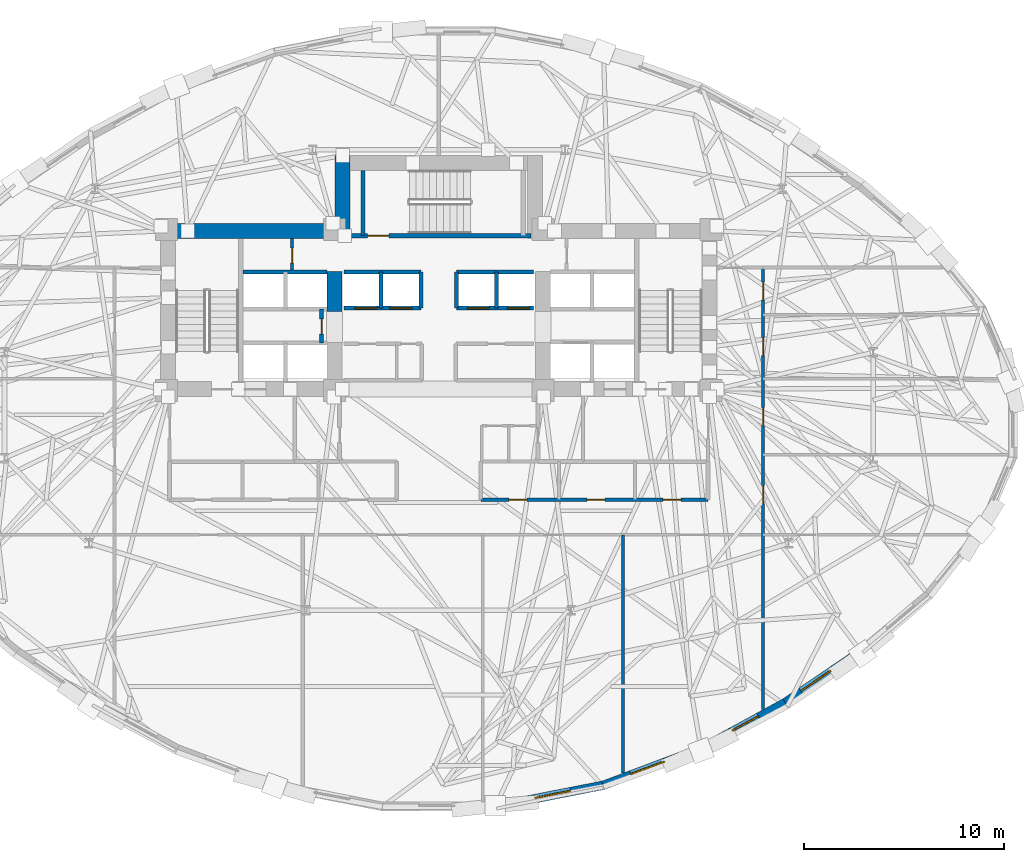
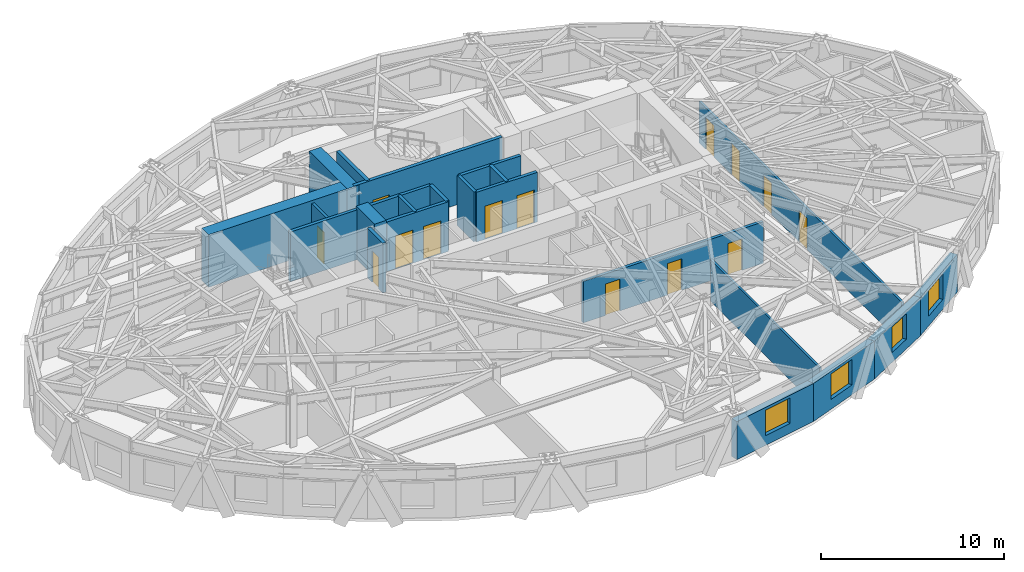
# One storey, part 8 of 14: 23 walls, 14 doors, 4 windows, 18 openings.
"""IFC4 building model written with IfcOpenShell, lengths in metres."""

import ifcopenshell
import ifcopenshell.guid

model = None  # the IFC model being written
_history = None  # IfcOwnerHistory: only IFC2X3 demands one
_inside = {}  # id of a spatial element -> (the spatial element, [elements in it])
_under = {}  # id of a project, library or spatial element -> (it, [spatial elements below it])
_declared = {}  # id of a project -> (the project, [libraries it declares])
_typed = {}  # id of a type object -> (the type object, [elements of that type])
_made_of = {}  # id of a material, layer set ... -> (it, [elements and type objects made of it])


def new_model(schema):
    """Start an empty IFC model of exactly this schema.

    Asked for "IFC4X3", IfcOpenShell would pick the latest addendum, in which some entities
    have other attributes; the version numbers below select the first issue.
    IFC2X3 requires an IfcOwnerHistory on every rooted entity: one is made here for all.
    """
    global model, _history
    if schema == "IFC4X3":
        model = ifcopenshell.file(schema_version=(4, 3, 0, 0))
    else:
        model = ifcopenshell.file(schema=schema)
    _inside.clear()
    _under.clear()
    _declared.clear()
    _typed.clear()
    _made_of.clear()
    _history = None
    if model.schema == "IFC2X3":
        org = make("IfcOrganization", Name="unknown")
        user = make(
            "IfcPersonAndOrganization",
            ThePerson=make("IfcPerson", FamilyName="unknown"),
            TheOrganization=org,
        )
        app = make(
            "IfcApplication",
            ApplicationDeveloper=org,
            Version="unknown",
            ApplicationFullName="unknown",
            ApplicationIdentifier="unknown",
        )
        _history = make(
            "IfcOwnerHistory",
            OwningUser=user,
            OwningApplication=app,
            ChangeAction="ADDED",
            CreationDate=0,
        )
    return model


def make(cls, **values):
    """One entity of the class cls with the attributes given. An attribute that is None is left unset."""
    return model.create_entity(
        cls, **{name: value for name, value in values.items() if value is not None}
    )


def rooted(cls, **values):
    """An entity with a GlobalId (a new one), such as an element, a storey or a relation."""
    return make(cls, GlobalId=ifcopenshell.guid.new(), OwnerHistory=_history, **values)


def si_unit(unit_type, name, prefix=None):
    """IfcSIUnit, for example si_unit("LENGTHUNIT", "METRE", prefix="MILLI")."""
    return make("IfcSIUnit", UnitType=unit_type, Prefix=prefix, Name=name)


def assignment(units):
    """IfcUnitAssignment: the units of a project."""
    return None if units is None else make("IfcUnitAssignment", Units=units)


def point(xyz):
    """IfcCartesianPoint."""
    return None if xyz is None else make("IfcCartesianPoint", Coordinates=xyz)


def direction(xyz):
    """IfcDirection."""
    return None if xyz is None else make("IfcDirection", DirectionRatios=xyz)


def frame(location, z_axis=None, x_axis=None):
    """IfcAxis2Placement3D, a coordinate frame: its origin and axes. An axis left out is left unset."""
    return make(
        "IfcAxis2Placement3D",
        Location=point(location),
        Axis=direction(z_axis),
        RefDirection=direction(x_axis),
    )


def frame_2d(location, x_axis=None):
    """IfcAxis2Placement2D, a coordinate frame in the plane: its origin and x axis."""
    return make(
        "IfcAxis2Placement2D", Location=point(location), RefDirection=direction(x_axis)
    )


def origin():
    """The frame at (0, 0, 0) with its axes left unset."""
    return frame((0.0, 0.0, 0.0))


def place(relative_to, where):
    """IfcLocalPlacement: puts the frame where relative to a parent placement (None: the world)."""
    return make(
        "IfcLocalPlacement", PlacementRelTo=relative_to, RelativePlacement=where
    )


def context(
    kind, dimensions, precision=None, world=None, true_north=None, identifier=None
):
    """IfcGeometricRepresentationContext, for example the 3D "Model" context."""
    return make(
        "IfcGeometricRepresentationContext",
        ContextIdentifier=identifier,
        ContextType=kind,
        CoordinateSpaceDimension=dimensions,
        Precision=precision,
        WorldCoordinateSystem=world,
        TrueNorth=true_north,
    )


def subcontext(parent, identifier, kind, view, scale=None):
    """IfcGeometricRepresentationSubContext, for example "Body" below "Model"."""
    return make(
        "IfcGeometricRepresentationSubContext",
        ContextIdentifier=identifier,
        ContextType=kind,
        ParentContext=parent,
        TargetScale=scale,
        TargetView=view,
    )


def project(units=None, contexts=None):
    """IfcProject with its units and contexts."""
    return rooted(
        "IfcProject",
        Name="project",
        RepresentationContexts=contexts,
        UnitsInContext=assignment(units),
    )


def spatial(cls, under=None, at=None, **own):
    """A site, building, storey or space (cls), placed at a placement, below another one or the project."""
    s = rooted(cls, ObjectPlacement=at, **own)
    if under is not None:
        _under.setdefault(under.id(), (under, []))[1].append(s)
    return s


def profile(cls, at=None, kind="AREA", **sizes):
    """A parametric profile (cls). Its sizes go by their IFC names, for example OverallWidth=200.0."""
    return make(cls, ProfileType=kind, Position=at, **sizes)


def rectangle(**sizes):
    """IfcRectangleProfileDef."""
    return profile("IfcRectangleProfileDef", **sizes)


def extrude(swept, where, along, depth):
    """IfcExtrudedAreaSolid: the profile swept, set in the frame where, extruded along a direction by depth."""
    return make(
        "IfcExtrudedAreaSolid",
        SweptArea=swept,
        Position=where,
        ExtrudedDirection=direction(along),
        Depth=depth,
    )


def shape(context_of_items, identifier, shape_type, items):
    """IfcShapeRepresentation: the items that make up one representation, for example the "Body"."""
    return make(
        "IfcShapeRepresentation",
        ContextOfItems=context_of_items,
        RepresentationIdentifier=identifier,
        RepresentationType=shape_type,
        Items=items,
    )


def material(Name=None, Category=None):
    """IfcMaterial."""
    return make("IfcMaterial", Name=Name, Category=Category)


def layer(
    of_material, thickness, ventilated=None, Name=None, Category=None, Priority=None
):
    """IfcMaterialLayer: one layer of a wall or slab, of a material (None: an air gap)."""
    return make(
        "IfcMaterialLayer",
        Material=of_material,
        LayerThickness=thickness,
        IsVentilated=ventilated,
        Name=Name,
        Category=Category,
        Priority=Priority,
    )


def layer_set(layers, Name=None):
    """IfcMaterialLayerSet."""
    return make("IfcMaterialLayerSet", MaterialLayers=layers, LayerSetName=Name)


def made_of(thing, what):
    """Note that an element or type object is made of a material, layer set ...; save() writes the relation."""
    if what is not None:
        _made_of.setdefault(what.id(), (what, []))[1].append(thing)
    return thing


def type_object(cls, material=None, **own):
    """A type object (cls), such as IfcWallType, which elements share."""
    return made_of(rooted(cls, **own), material)


def element(
    cls,
    number,
    at=None,
    inside=None,
    cuts=None,
    type_object=None,
    material=None,
    context=None,
    identifier="Body",
    shape_type=None,
    held_by="IfcProductDefinitionShape",
    body=None,
    shapes=None,
    **own,
):
    """One element of the class cls, such as IfcWall. Its Tag is "e" and its number.

    at: its placement. inside: the storey or other place that contains it. cuts: it is an
    opening in that element (IfcRelVoidsElement). A single representation is given by context,
    identifier, shape_type and body (its items); several are given by shapes. held_by: the class
    of the entity that holds the representations. save() writes the other relations.
    """
    e = rooted(cls, Tag="e%d" % number, ObjectPlacement=at, **own)
    if body is not None:
        shapes = [shape(context, identifier, shape_type, body)]
    if shapes is not None:
        e.Representation = make(held_by, Representations=shapes)
    if inside is not None:
        _inside.setdefault(inside.id(), (inside, []))[1].append(e)
    if cuts is not None:
        rooted(
            "IfcRelVoidsElement", RelatingBuildingElement=cuts, RelatedOpeningElement=e
        )
    if type_object is not None:
        _typed.setdefault(type_object.id(), (type_object, []))[1].append(e)
    return made_of(e, material)


def fill(opening, filler):
    """IfcRelFillsElement: the door or window that sits in an opening."""
    return rooted(
        "IfcRelFillsElement",
        RelatingOpeningElement=opening,
        RelatedBuildingElement=filler,
    )


def aggregate(whole, parts):
    """IfcRelAggregates: a whole, such as a stair, and the parts it consists of."""
    return rooted("IfcRelAggregates", RelatingObject=whole, RelatedObjects=parts)


def save(model, path):
    """Write the relations noted so far, then the file.

    IfcRelAggregates (storeys below a building ...), IfcRelContainedInSpatialStructure (elements
    in a storey), IfcRelDefinesByType, IfcRelAssociatesMaterial and IfcRelDeclares: one each for
    every whole, place, type object, material and project.
    """
    for whole, parts in _under.values():
        aggregate(whole, parts)
    for where, things in _inside.values():
        rooted(
            "IfcRelContainedInSpatialStructure",
            RelatedElements=things,
            RelatingStructure=where,
        )
    for kind, things in _typed.values():
        rooted("IfcRelDefinesByType", RelatedObjects=things, RelatingType=kind)
    for what, things in _made_of.values():
        rooted("IfcRelAssociatesMaterial", RelatedObjects=things, RelatingMaterial=what)
    for by, libraries in _declared.values():
        rooted("IfcRelDeclares", RelatingContext=by, RelatedDefinitions=libraries)
    model.write(path)


model = new_model("IFC4")

# Units and contexts
model_context = context("Model", 3, precision=1e-05, world=origin(), true_north=direction((0.0, 1.0)))
body_context = subcontext(model_context, "Body", "Model", "MODEL_VIEW")
ifc_project = project(units=[si_unit("LENGTHUNIT", "METRE"), si_unit("AREAUNIT", "SQUARE_METRE"), si_unit("VOLUMEUNIT", "CUBIC_METRE"), si_unit("PLANEANGLEUNIT", "RADIAN"), si_unit("MASSUNIT", "GRAM", prefix="KILO")], contexts=[model_context])

# Site, building, storey
site_placement = place(None, origin())
site = spatial("IfcSite", under=ifc_project, at=site_placement, CompositionType="ELEMENT")
building_placement = place(site_placement, origin())
building = spatial("IfcBuilding", under=site, at=building_placement, Name="Keldmark Tower", CompositionType="ELEMENT")
storey_placement = place(building_placement, frame((0.0, 0.0, 89.60009765625)))
storey = spatial("IfcBuildingStorey", under=building, at=storey_placement, Name="L23", CompositionType="ELEMENT", Elevation=89.60009765625)

# Wall, openings, doors
ifc_material_1 = material(Name="Acoustic Double-Layer Gypsum Corridor Partition", Category="gypsum")
ifc_layer_1 = layer(ifc_material_1, 0.139892578125)
ifc_layer_set_1 = layer_set([ifc_layer_1], Name="Acoustic Double-Layer Gypsum Corridor Partition")
wall_type_1 = type_object("IfcWallType", Name="Acoustic Corridor Partition 140 mm", PredefinedType="PARTITIONING", material=ifc_layer_set_1)
wall_1_placement = place(storey_placement, frame((16.199951171875, -14.530029296875, 0.0), z_axis=(0.0, 0.0, 1.0), x_axis=(0.0, 1.0, 0.0)))
wall_1 = element("IfcWall", 1, at=wall_1_placement, inside=storey, type_object=wall_type_1, Name="L23 Acoustic Corridor Partition 140 mm COR-E", PredefinedType="PARTITIONING", context=body_context, shape_type="SweptSolid", body=[
    extrude(rectangle(XDim=22.080078125, YDim=0.139892578125, at=frame_2d((11.0400390625, 0.0))), origin(), (0.0, 0.0, 1.0), 2.7509765625),
])
opening_1_placement = place(wall_1_placement, frame((10.280517578125, 0.0, 0.0)))
opening_1 = element("IfcOpeningElement", 2, at=opening_1_placement, cuts=wall_1, Name="Opening D-IN090", PredefinedType="OPENING", context=body_context, shape_type="SweptSolid", body=[
    extrude(rectangle(XDim=0.89990234375, YDim=2.10009765625, at=frame_2d((0.449951171875, 1.050048828125))), frame((0.0, 0.079833984375, 0.0), z_axis=(0.0, -1.0, 0.0), x_axis=(1.0, 0.0, 0.0)), (0.0, 0.0, 1.0), 0.159912109375),
])
opening_2_placement = place(wall_1_placement, frame((14.180419921875, 0.0, 0.0)))
opening_2 = element("IfcOpeningElement", 3, at=opening_2_placement, cuts=wall_1, Name="Opening D-IN090", PredefinedType="OPENING", context=body_context, shape_type="SweptSolid", body=[
    extrude(rectangle(XDim=0.89990234375, YDim=2.10009765625, at=frame_2d((0.449951171875, 1.050048828125))), frame((0.0, 0.079833984375, 0.0), z_axis=(0.0, -1.0, 0.0), x_axis=(1.0, 0.0, 0.0)), (0.0, 0.0, 1.0), 0.159912109375),
])
opening_3_placement = place(wall_1_placement, frame((17.680419921875, 0.0, 0.0)))
opening_3 = element("IfcOpeningElement", 4, at=opening_3_placement, cuts=wall_1, Name="Opening D-IN090", PredefinedType="OPENING", context=body_context, shape_type="SweptSolid", body=[
    extrude(rectangle(XDim=0.89990234375, YDim=2.10009765625, at=frame_2d((0.449951171875, 1.050048828125))), frame((0.0, 0.079833984375, 0.0), z_axis=(0.0, -1.0, 0.0), x_axis=(1.0, 0.0, 0.0)), (0.0, 0.0, 1.0), 0.159912109375),
])
opening_4_placement = place(wall_1_placement, frame((20.455322265625, 0.0, 0.0)))
opening_4 = element("IfcOpeningElement", 5, at=opening_4_placement, cuts=wall_1, Name="Opening D-IN090", PredefinedType="OPENING", context=body_context, shape_type="SweptSolid", body=[
    extrude(rectangle(XDim=0.89990234375, YDim=2.10009765625, at=frame_2d((0.449951171875, 1.050048828125))), frame((0.0, 0.079833984375, 0.0), z_axis=(0.0, -1.0, 0.0), x_axis=(1.0, 0.0, 0.0)), (0.0, 0.0, 1.0), 0.159912109375),
])
ifc_material_2 = material(Name="Stained American White Oak Veneer", Category="wood")
door_type_1 = type_object("IfcDoorType", Name="Interior Door 900x2100", OperationType="NOTDEFINED", PredefinedType="DOOR", material=ifc_material_2)
door_1_placement = place(opening_1_placement, origin())
door_1 = element("IfcDoor", 6, at=door_1_placement, inside=storey, type_object=door_type_1, Name="L23 Interior Door 900x2100 D-ER-1-L23", OperationType="SINGLE_SWING_RIGHT", OverallHeight=2.10009765625, OverallWidth=0.89990234375, PredefinedType="DOOR", context=body_context, shape_type="SweptSolid", body=[
    extrude(rectangle(XDim=0.89990234375, YDim=2.10009765625, at=frame_2d((0.449951171875, 1.050048828125))), frame((0.0, 0.02490234375, 0.0), z_axis=(0.0, -1.0, 0.0), x_axis=(1.0, 0.0, 0.0)), (0.0, 0.0, 1.0), 0.050048828125),
])
fill(opening_1, door_1)
door_2_placement = place(opening_2_placement, origin())
door_2 = element("IfcDoor", 7, at=door_2_placement, inside=storey, type_object=door_type_1, Name="L23 Interior Door 900x2100 D-ER-2-L23", OperationType="SINGLE_SWING_LEFT", OverallHeight=2.10009765625, OverallWidth=0.89990234375, PredefinedType="DOOR", context=body_context, shape_type="SweptSolid", body=[
    extrude(rectangle(XDim=0.89990234375, YDim=2.10009765625, at=frame_2d((0.449951171875, 1.050048828125))), frame((0.0, 0.02490234375, 0.0), z_axis=(0.0, -1.0, 0.0), x_axis=(1.0, 0.0, 0.0)), (0.0, 0.0, 1.0), 0.050048828125),
])
fill(opening_2, door_2)
door_3_placement = place(opening_3_placement, origin())
door_3 = element("IfcDoor", 8, at=door_3_placement, inside=storey, type_object=door_type_1, Name="L23 Interior Door 900x2100 D-ER-3-L23", OperationType="SINGLE_SWING_RIGHT", OverallHeight=2.10009765625, OverallWidth=0.89990234375, PredefinedType="DOOR", context=body_context, shape_type="SweptSolid", body=[
    extrude(rectangle(XDim=0.89990234375, YDim=2.10009765625, at=frame_2d((0.449951171875, 1.050048828125))), frame((0.0, 0.02490234375, 0.0), z_axis=(0.0, -1.0, 0.0), x_axis=(1.0, 0.0, 0.0)), (0.0, 0.0, 1.0), 0.050048828125),
])
fill(opening_3, door_3)
door_4_placement = place(opening_4_placement, origin())
door_4 = element("IfcDoor", 9, at=door_4_placement, inside=storey, type_object=door_type_1, Name="L23 Interior Door 900x2100 D-ER-4-L23", OperationType="SINGLE_SWING_LEFT", OverallHeight=2.10009765625, OverallWidth=0.89990234375, PredefinedType="DOOR", context=body_context, shape_type="SweptSolid", body=[
    extrude(rectangle(XDim=0.89990234375, YDim=2.10009765625, at=frame_2d((0.449951171875, 1.050048828125))), frame((0.0, 0.02490234375, 0.0), z_axis=(0.0, -1.0, 0.0), x_axis=(1.0, 0.0, 0.0)), (0.0, 0.0, 1.0), 0.050048828125),
])
fill(opening_4, door_4)

ifc_material_3 = material(Name="Heavy Acoustic Plumbing Chase Gypsum Assembly", Category="gypsum")
ifc_layer_2 = layer(ifc_material_3, 0.18994140625)
ifc_layer_set_2 = layer_set([ifc_layer_2], Name="Heavy Acoustic Plumbing Chase Gypsum Assembly")
wall_type_2 = type_object("IfcWallType", Name="Heavy Wet Wall 190 mm", PredefinedType="PLUMBINGWALL", material=ifc_layer_set_2)
wall_2_placement = place(storey_placement, frame((2.10009765625, -4.050048828125, 0.0), z_axis=(0.0, 0.0, 1.0), x_axis=(1.0, 0.0, 0.0)))
wall_2 = element("IfcWall", 10, at=wall_2_placement, inside=storey, type_object=wall_type_2, Name="L23 Heavy Wet Wall 190 mm SPK-E-S", PredefinedType="PLUMBINGWALL", context=body_context, shape_type="SweptSolid", body=[
    extrude(rectangle(XDim=11.349853515625, YDim=0.18994140625, at=frame_2d((5.6748046875, 0.0))), origin(), (0.0, 0.0, 1.0), 2.762939453125),
])
opening_5_placement = place(wall_2_placement, frame((1.39990234375, 0.0, 0.0)))
opening_5 = element("IfcOpeningElement", 11, at=opening_5_placement, cuts=wall_2, Name="Opening D-IN090", PredefinedType="OPENING", context=body_context, shape_type="SweptSolid", body=[
    extrude(rectangle(XDim=0.89990234375, YDim=2.10009765625, at=frame_2d((0.449951171875, 1.050048828125))), frame((0.0, 0.10498046875, 0.0), z_axis=(0.0, -1.0, 0.0), x_axis=(1.0, 0.0, 0.0)), (0.0, 0.0, 1.0), 0.2099609375),
])
opening_6_placement = place(wall_2_placement, frame((5.300048828125, 0.0, 0.0)))
opening_6 = element("IfcOpeningElement", 12, at=opening_6_placement, cuts=wall_2, Name="Opening D-IN090", PredefinedType="OPENING", context=body_context, shape_type="SweptSolid", body=[
    extrude(rectangle(XDim=0.89990234375, YDim=2.10009765625, at=frame_2d((0.449951171875, 1.050048828125))), frame((0.0, 0.10498046875, 0.0), z_axis=(0.0, -1.0, 0.0), x_axis=(1.0, 0.0, 0.0)), (0.0, 0.0, 1.0), 0.2099609375),
])
opening_7_placement = place(wall_2_placement, frame((9.10009765625, 0.0, 0.0)))
opening_7 = element("IfcOpeningElement", 13, at=opening_7_placement, cuts=wall_2, Name="Opening D-IN090", PredefinedType="OPENING", context=body_context, shape_type="SweptSolid", body=[
    extrude(rectangle(XDim=0.89990234375, YDim=2.10009765625, at=frame_2d((0.449951171875, 1.050048828125))), frame((0.0, 0.10498046875, 0.0), z_axis=(0.0, -1.0, 0.0), x_axis=(1.0, 0.0, 0.0)), (0.0, 0.0, 1.0), 0.2099609375),
])
door_5_placement = place(opening_5_placement, origin())
door_5 = element("IfcDoor", 14, at=door_5_placement, inside=storey, type_object=door_type_1, Name="L23 Interior Door 900x2100 D-SPKE1-L23", OperationType="SINGLE_SWING_RIGHT", OverallHeight=2.10009765625, OverallWidth=0.89990234375, PredefinedType="DOOR", context=body_context, shape_type="SweptSolid", body=[
    extrude(rectangle(XDim=0.89990234375, YDim=2.10009765625, at=frame_2d((0.449951171875, 1.050048828125))), frame((0.0, 0.02490234375, 0.0), z_axis=(0.0, -1.0, 0.0), x_axis=(1.0, 0.0, 0.0)), (0.0, 0.0, 1.0), 0.050048828125),
])
fill(opening_5, door_5)
door_6_placement = place(opening_6_placement, origin())
door_6 = element("IfcDoor", 15, at=door_6_placement, inside=storey, type_object=door_type_1, Name="L23 Interior Door 900x2100 D-SPKE2-L23", OperationType="SINGLE_SWING_LEFT", OverallHeight=2.10009765625, OverallWidth=0.89990234375, PredefinedType="DOOR", context=body_context, shape_type="SweptSolid", body=[
    extrude(rectangle(XDim=0.89990234375, YDim=2.10009765625, at=frame_2d((0.449951171875, 1.050048828125))), frame((0.0, 0.02490234375, 0.0), z_axis=(0.0, -1.0, 0.0), x_axis=(1.0, 0.0, 0.0)), (0.0, 0.0, 1.0), 0.050048828125),
])
fill(opening_6, door_6)
door_7_placement = place(opening_7_placement, origin())
door_7 = element("IfcDoor", 16, at=door_7_placement, inside=storey, type_object=door_type_1, Name="L23 Interior Door 900x2100 D-SPKE3-L23", OperationType="SINGLE_SWING_RIGHT", OverallHeight=2.10009765625, OverallWidth=0.89990234375, PredefinedType="DOOR", context=body_context, shape_type="SweptSolid", body=[
    extrude(rectangle(XDim=0.89990234375, YDim=2.10009765625, at=frame_2d((0.449951171875, 1.050048828125))), frame((0.0, 0.02490234375, 0.0), z_axis=(0.0, -1.0, 0.0), x_axis=(1.0, 0.0, 0.0)), (0.0, 0.0, 1.0), 0.050048828125),
])
fill(opening_7, door_7)

# Walls
ifc_material_4 = material(Name="Acoustic Gypsum Board Interior Partition", Category="gypsum")
ifc_layer_3 = layer(ifc_material_4, 0.1298828125)
ifc_layer_set_3 = layer_set([ifc_layer_3], Name="Acoustic Gypsum Board Interior Partition")
wall_type_3 = type_object("IfcWallType", Name="Interior Partition 130 mm", PredefinedType="PARTITIONING", material=ifc_layer_set_3)
wall_3_placement = place(storey_placement, frame((9.199951171875, -17.705810546875, 0.0), z_axis=(0.0, 0.0, 1.0), x_axis=(0.0, 1.0, 0.0)))
element("IfcWall", 17, at=wall_3_placement, inside=storey, type_object=wall_type_3, Name="L23 Interior Partition 130 mm S-DIV-3", PredefinedType="PARTITIONING", context=body_context, shape_type="SweptSolid", body=[
    extrude(rectangle(XDim=11.90576171875, YDim=0.1298828125, at=frame_2d((5.952880859375, 0.0))), origin(), (0.0, 0.0, 1.0), 2.762939453125),
])
ifc_material_5 = material(Name="Concrete C70/85", Category="concrete")
ifc_layer_4 = layer(ifc_material_5, 0.75)
ifc_layer_set_4 = layer_set([ifc_layer_4], Name="Concrete C70/85")
wall_type_4 = type_object("IfcWallType", Name="Low-Mid Core Shear Wall 750 mm", PredefinedType="SHEAR", material=ifc_layer_set_4)
wall_4_placement = place(storey_placement, frame((-13.89990234375, 9.375, 0.0), z_axis=(0.0, 0.0, 1.0), x_axis=(1.0, 0.0, 0.0)))
element("IfcWall", 18, at=wall_4_placement, inside=storey, type_object=wall_type_4, Name="L23 West Core North Shear Wall", PredefinedType="SHEAR", context=body_context, shape_type="SweptSolid", body=[
    extrude(rectangle(XDim=9.474853515625, YDim=0.75, at=frame_2d((4.7373046875, 0.0))), origin(), (0.0, 0.0, 1.0), 3.5),
])
wall_5_placement = place(storey_placement, frame((-5.199951171875, 5.35009765625, 0.0), z_axis=(0.0, 0.0, 1.0), x_axis=(0.0, 1.0, 0.0)))
element("IfcWall", 19, at=wall_5_placement, inside=storey, type_object=wall_type_4, Name="L23 West Core Inner Shear Pier North", PredefinedType="SHEAR", context=body_context, shape_type="SweptSolid", body=[
    extrude(rectangle(XDim=2.0, YDim=0.75, at=frame_2d((1.0, 0.0))), origin(), (0.0, 0.0, 1.0), 3.5),
])
wall_6_placement = place(storey_placement, frame((-4.800048828125, 9.0, 0.0), z_axis=(0.0, 0.0, 1.0), x_axis=(0.0, 1.0, 0.0)))
element("IfcWall", 20, at=wall_6_placement, inside=storey, type_object=wall_type_4, Name="L23 North Core West Shear Wall", PredefinedType="SHEAR", context=body_context, shape_type="SweptSolid", body=[
    extrude(rectangle(XDim=4.14990234375, YDim=0.75, at=frame_2d((2.074951171875, 0.0))), origin(), (0.0, 0.0, 1.0), 3.5),
])

# Wall, opening, door
ifc_material_6 = material(Name="Type X Fire-Rated Gypsum Partition Assembly", Category="gypsum")
ifc_layer_5 = layer(ifc_material_6, 0.1650390625)
ifc_layer_set_5 = layer_set([ifc_layer_5], Name="Type X Fire-Rated Gypsum Partition Assembly")
wall_type_5 = type_object("IfcWallType", Name="Rated Partition 165 mm", PredefinedType="PARTITIONING", material=ifc_layer_set_5)
wall_7_placement = place(storey_placement, frame((-7.330078125, 7.419921875, 0.0), z_axis=(0.0, 0.0, 1.0), x_axis=(0.0, 1.0, 0.0)))
wall_7 = element("IfcWall", 21, at=wall_7_placement, inside=storey, type_object=wall_type_5, Name="L23 Rated Partition 165 mm CS-NW-E", PredefinedType="PARTITIONING", context=body_context, shape_type="SweptSolid", body=[
    extrude(rectangle(XDim=1.580078125, YDim=0.1650390625, at=frame_2d((0.7900390625, 0.0))), origin(), (0.0, 0.0, 1.0), 3.309814453125),
])
opening_8_placement = place(wall_7_placement, frame((0.35009765625, 0.0, 0.0)))
opening_8 = element("IfcOpeningElement", 22, at=opening_8_placement, cuts=wall_7, Name="Opening D-RS075", PredefinedType="OPENING", context=body_context, shape_type="SweptSolid", body=[
    extrude(rectangle(XDim=0.75, YDim=2.10009765625, at=frame_2d((0.375, 1.050048828125))), frame((0.0, 0.092529296875, 0.0), z_axis=(0.0, -1.0, 0.0), x_axis=(1.0, 0.0, 0.0)), (0.0, 0.0, 1.0), 0.18505859375),
])
ifc_material_7 = material(Name="Galvanized Fire-Rated Access Leaf", Category="metal")
door_type_2 = type_object("IfcDoorType", Name="Riser Access Door 750x2100", OperationType="NOTDEFINED", PredefinedType="DOOR", material=ifc_material_7)
door_8_placement = place(opening_8_placement, origin())
door_8 = element("IfcDoor", 23, at=door_8_placement, inside=storey, type_object=door_type_2, Name="L23 Riser Access Door 750x2100 D-CSNW1-L23", OperationType="SINGLE_SWING_RIGHT", OverallHeight=2.10009765625, OverallWidth=0.75, PredefinedType="DOOR", context=body_context, shape_type="SweptSolid", body=[
    extrude(rectangle(XDim=0.75, YDim=2.10009765625, at=frame_2d((0.375, 1.050048828125))), frame((0.0, 0.02490234375, 0.0), z_axis=(0.0, -1.0, 0.0), x_axis=(1.0, 0.0, 0.0)), (0.0, 0.0, 1.0), 0.050048828125),
])
fill(opening_8, door_8)

# Wall
ifc_material_8 = material(Name="Fire-Resistant Type X Gypsum Shaftliner Coreboard", Category="gypsum")
ifc_layer_6 = layer(ifc_material_8, 0.199951171875)
ifc_layer_set_6 = layer_set([ifc_layer_6], Name="Fire-Resistant Type X Gypsum Shaftliner Coreboard")
wall_type_6 = type_object("IfcWallType", Name="Shaft Wall 200 mm", PredefinedType="SOLIDWALL", material=ifc_layer_set_6)
wall_8_placement = place(storey_placement, frame((-9.780029296875, 7.330078125, 0.0), z_axis=(0.0, 0.0, 1.0), x_axis=(1.0, 0.0, 0.0)))
element("IfcWall", 24, at=wall_8_placement, inside=storey, type_object=wall_type_6, Name="L23 Shaft Wall 200 mm HW-W-TOP", PredefinedType="SOLIDWALL", context=body_context, shape_type="SweptSolid", body=[
    extrude(rectangle(XDim=4.205078125, YDim=0.199951171875, at=frame_2d((2.1025390625, 0.0))), origin(), (0.0, 0.0, 1.0), 3.309814453125),
])

# Wall, opening, door
wall_9_placement = place(storey_placement, frame((-5.85009765625, 3.780029296875, 0.0), z_axis=(0.0, 0.0, 1.0), x_axis=(0.0, 1.0, 0.0)))
wall_9 = element("IfcWall", 25, at=wall_9_placement, inside=storey, type_object=wall_type_6, Name="L23 Shaft Wall 200 mm HW-W-CLOSE", PredefinedType="SOLIDWALL", context=body_context, shape_type="SweptSolid", body=[
    extrude(rectangle(XDim=1.68994140625, YDim=0.199951171875, at=frame_2d((0.844970703125, 0.0))), origin(), (0.0, 0.0, 1.0), 3.309814453125),
])
opening_9_placement = place(wall_9_placement, frame((0.449951171875, 0.0, 0.0)))
opening_9 = element("IfcOpeningElement", 26, at=opening_9_placement, cuts=wall_9, Name="Opening D-RS075", PredefinedType="OPENING", context=body_context, shape_type="SweptSolid", body=[
    extrude(rectangle(XDim=0.75, YDim=2.10009765625, at=frame_2d((0.375, 1.050048828125))), frame((0.0, 0.10986328125, 0.0), z_axis=(0.0, -1.0, 0.0), x_axis=(1.0, 0.0, 0.0)), (0.0, 0.0, 1.0), 0.219970703125),
])
door_9_placement = place(opening_9_placement, origin())
door_9 = element("IfcDoor", 27, at=door_9_placement, inside=storey, type_object=door_type_2, Name="L23 Riser Access Door 750x2100 D-RISHW-L23", OperationType="SINGLE_SWING_RIGHT", OverallHeight=2.10009765625, OverallWidth=0.75, PredefinedType="DOOR", context=body_context, shape_type="SweptSolid", body=[
    extrude(rectangle(XDim=0.75, YDim=2.10009765625, at=frame_2d((0.375, 1.050048828125))), frame((0.0, 0.02490234375, 0.0), z_axis=(0.0, -1.0, 0.0), x_axis=(1.0, 0.0, 0.0)), (0.0, 0.0, 1.0), 0.050048828125),
])
fill(opening_9, door_9)

# Wall, openings, doors
wall_10_placement = place(storey_placement, frame((-4.739990234375, 5.52001953125, 0.0), z_axis=(0.0, 0.0, 1.0), x_axis=(1.0, 0.0, 0.0)))
wall_10 = element("IfcWall", 28, at=wall_10_placement, inside=storey, type_object=wall_type_6, Name="L23 Shaft Wall 200 mm MID-S-W", PredefinedType="SOLIDWALL", context=body_context, shape_type="SweptSolid", body=[
    extrude(rectangle(XDim=3.860107421875, YDim=0.199951171875, at=frame_2d((1.93017578125, 0.0))), origin(), (0.0, 0.0, 1.0), 3.309814453125),
])
opening_10_placement = place(wall_10_placement, frame((0.550048828125, 0.0, 0.0)))
opening_10 = element("IfcOpeningElement", 29, at=opening_10_placement, cuts=wall_10, Name="Opening LD-110", PredefinedType="OPENING", context=body_context, shape_type="SweptSolid", body=[
    extrude(rectangle(XDim=1.10009765625, YDim=2.199951171875, at=frame_2d((0.550048828125, 1.10009765625))), frame((0.0, 0.10986328125, 0.0), z_axis=(0.0, -1.0, 0.0), x_axis=(1.0, 0.0, 0.0)), (0.0, 0.0, 1.0), 0.219970703125),
])
opening_11_placement = place(wall_10_placement, frame((2.300048828125, 0.0, 0.0)))
opening_11 = element("IfcOpeningElement", 30, at=opening_11_placement, cuts=wall_10, Name="Opening LD-110", PredefinedType="OPENING", context=body_context, shape_type="SweptSolid", body=[
    extrude(rectangle(XDim=1.10009765625, YDim=2.199951171875, at=frame_2d((0.550048828125, 1.10009765625))), frame((0.0, 0.10986328125, 0.0), z_axis=(0.0, -1.0, 0.0), x_axis=(1.0, 0.0, 0.0)), (0.0, 0.0, 1.0), 0.219970703125),
])
ifc_material_9 = material(Name="Brushed Bronze Hoistway Sliding Leaf", Category="metal")
door_type_3 = type_object("IfcDoorType", Name="Lift Landing Sliding Door 1100x2200", OperationType="SLIDING_TO_LEFT", PredefinedType="DOOR", material=ifc_material_9)
door_10_placement = place(opening_10_placement, origin())
door_10 = element("IfcDoor", 31, at=door_10_placement, inside=storey, type_object=door_type_3, Name="L23 Lift Landing Sliding Door 1100x2200 LD-EL-M1-L23", OperationType="SLIDING_TO_LEFT", OverallHeight=2.199951171875, OverallWidth=1.10009765625, PredefinedType="DOOR", context=body_context, shape_type="SweptSolid", body=[
    extrude(rectangle(XDim=1.10009765625, YDim=2.199951171875, at=frame_2d((0.550048828125, 1.10009765625))), frame((0.0, 0.02490234375, 0.0), z_axis=(0.0, -1.0, 0.0), x_axis=(1.0, 0.0, 0.0)), (0.0, 0.0, 1.0), 0.050048828125),
])
fill(opening_10, door_10)
door_11_placement = place(opening_11_placement, origin())
door_11 = element("IfcDoor", 32, at=door_11_placement, inside=storey, type_object=door_type_3, Name="L23 Lift Landing Sliding Door 1100x2200 LD-EL-M2-L23", OperationType="SLIDING_TO_LEFT", OverallHeight=2.199951171875, OverallWidth=1.10009765625, PredefinedType="DOOR", context=body_context, shape_type="SweptSolid", body=[
    extrude(rectangle(XDim=1.10009765625, YDim=2.199951171875, at=frame_2d((0.550048828125, 1.10009765625))), frame((0.0, 0.02490234375, 0.0), z_axis=(0.0, -1.0, 0.0), x_axis=(1.0, 0.0, 0.0)), (0.0, 0.0, 1.0), 0.050048828125),
])
fill(opening_11, door_11)

wall_11_placement = place(storey_placement, frame((0.8798828125, 5.52001953125, 0.0), z_axis=(0.0, 0.0, 1.0), x_axis=(1.0, 0.0, 0.0)))
wall_11 = element("IfcWall", 33, at=wall_11_placement, inside=storey, type_object=wall_type_6, Name="L23 Shaft Wall 200 mm MID-S-E", PredefinedType="SOLIDWALL", context=body_context, shape_type="SweptSolid", body=[
    extrude(rectangle(XDim=3.860107421875, YDim=0.199951171875, at=frame_2d((1.93017578125, 0.0))), origin(), (0.0, 0.0, 1.0), 3.309814453125),
])
opening_12_placement = place(wall_11_placement, frame((0.550048828125, 0.0, 0.0)))
opening_12 = element("IfcOpeningElement", 34, at=opening_12_placement, cuts=wall_11, Name="Opening LD-110", PredefinedType="OPENING", context=body_context, shape_type="SweptSolid", body=[
    extrude(rectangle(XDim=1.10009765625, YDim=2.199951171875, at=frame_2d((0.550048828125, 1.10009765625))), frame((0.0, 0.10986328125, 0.0), z_axis=(0.0, -1.0, 0.0), x_axis=(1.0, 0.0, 0.0)), (0.0, 0.0, 1.0), 0.219970703125),
])
opening_13_placement = place(wall_11_placement, frame((2.550048828125, 0.0, 0.0)))
opening_13 = element("IfcOpeningElement", 35, at=opening_13_placement, cuts=wall_11, Name="Opening LD-110", PredefinedType="OPENING", context=body_context, shape_type="SweptSolid", body=[
    extrude(rectangle(XDim=1.10009765625, YDim=2.199951171875, at=frame_2d((0.550048828125, 1.10009765625))), frame((0.0, 0.10986328125, 0.0), z_axis=(0.0, -1.0, 0.0), x_axis=(1.0, 0.0, 0.0)), (0.0, 0.0, 1.0), 0.219970703125),
])
door_12_placement = place(opening_12_placement, origin())
door_12 = element("IfcDoor", 36, at=door_12_placement, inside=storey, type_object=door_type_3, Name="L23 Lift Landing Sliding Door 1100x2200 LD-EL-M3-L23", OperationType="SLIDING_TO_LEFT", OverallHeight=2.199951171875, OverallWidth=1.10009765625, PredefinedType="DOOR", context=body_context, shape_type="SweptSolid", body=[
    extrude(rectangle(XDim=1.10009765625, YDim=2.199951171875, at=frame_2d((0.550048828125, 1.10009765625))), frame((0.0, 0.02490234375, 0.0), z_axis=(0.0, -1.0, 0.0), x_axis=(1.0, 0.0, 0.0)), (0.0, 0.0, 1.0), 0.050048828125),
])
fill(opening_12, door_12)
door_13_placement = place(opening_13_placement, origin())
door_13 = element("IfcDoor", 37, at=door_13_placement, inside=storey, type_object=door_type_3, Name="L23 Lift Landing Sliding Door 1100x2200 LD-EL-M4-L23", OperationType="SLIDING_TO_LEFT", OverallHeight=2.199951171875, OverallWidth=1.10009765625, PredefinedType="DOOR", context=body_context, shape_type="SweptSolid", body=[
    extrude(rectangle(XDim=1.10009765625, YDim=2.199951171875, at=frame_2d((0.550048828125, 1.10009765625))), frame((0.0, 0.02490234375, 0.0), z_axis=(0.0, -1.0, 0.0), x_axis=(1.0, 0.0, 0.0)), (0.0, 0.0, 1.0), 0.050048828125),
])
fill(opening_13, door_13)

# Walls
for number, where, z_axis, x_axis, name in (
    (38, (-4.739990234375, 7.330078125, 0.0), (0.0, 0.0, 1.0), (1.0, 0.0, 0.0), "L23 Shaft Wall 200 mm MID-N-W"),
    (39, (0.8798828125, 7.330078125, 0.0), (0.0, 0.0, 1.0), (1.0, 0.0, 0.0), "L23 Shaft Wall 200 mm MID-N-E"),
):
    element("IfcWall", number, at=place(storey_placement, frame(where, z_axis=z_axis, x_axis=x_axis)), inside=storey, type_object=wall_type_6, Name=name, PredefinedType="SOLIDWALL", context=body_context, shape_type="SweptSolid", body=[
        extrude(rectangle(XDim=3.860107421875, YDim=0.199951171875, at=frame_2d((1.93017578125, 0.0))), origin(), (0.0, 0.0, 1.0), 3.309814453125),
    ])
for number, where, z_axis, x_axis, name in (
    (40, (-2.8798828125, 5.52001953125, 0.0), (0.0, 0.0, 1.0), (0.0, 1.0, 0.0), "L23 Shaft Wall 200 mm MID-M-W"),
    (41, (2.8798828125, 5.52001953125, 0.0), (0.0, 0.0, 1.0), (0.0, 1.0, 0.0), "L23 Shaft Wall 200 mm MID-M-E"),
    (42, (-0.8798828125, 5.52001953125, 0.0), (0.0, 0.0, 1.0), (0.0, 1.0, 0.0), "L23 Shaft Wall 200 mm MID-C-W"),
    (43, (0.8798828125, 5.52001953125, 0.0), (0.0, 0.0, 1.0), (0.0, 1.0, 0.0), "L23 Shaft Wall 200 mm MID-C-E"),
):
    element("IfcWall", number, at=place(storey_placement, frame(where, z_axis=z_axis, x_axis=x_axis)), inside=storey, type_object=wall_type_6, Name=name, PredefinedType="SOLIDWALL", context=body_context, shape_type="SweptSolid", body=[
        extrude(rectangle(XDim=1.81005859375, YDim=0.199951171875, at=frame_2d((0.905029296875, 0.0))), origin(), (0.0, 0.0, 1.0), 3.309814453125),
    ])

# Wall, opening, door
ifc_material_10 = material(Name="Concrete C50/60", Category="concrete")
ifc_layer_7 = layer(ifc_material_10, 0.219970703125)
ifc_layer_set_7 = layer_set([ifc_layer_7], Name="Concrete C50/60")
wall_type_7 = type_object("IfcWallType", Name="Stair Core Shear Wall 220 mm", PredefinedType="SHEAR", material=ifc_layer_set_7)
wall_12_placement = place(storey_placement, frame((-4.699951171875, 9.139892578125, 0.0), z_axis=(0.0, 0.0, 1.0), x_axis=(1.0, 0.0, 0.0)))
wall_12 = element("IfcWall", 44, at=wall_12_placement, inside=storey, type_object=wall_type_7, Name="L23 Central Stair Core South Shear Wall", PredefinedType="SHEAR", context=body_context, shape_type="SweptSolid", body=[
    extrude(rectangle(XDim=9.300048828125, YDim=0.219970703125, at=frame_2d((4.64990234375, 0.0))), origin(), (0.0, 0.0, 1.0), 3.5),
])
opening_14_placement = place(wall_12_placement, frame((1.14990234375, 0.0, 0.0)))
opening_14 = element("IfcOpeningElement", 45, at=opening_14_placement, cuts=wall_12, Name="Opening D-ST105", PredefinedType="OPENING", context=body_context, shape_type="SweptSolid", body=[
    extrude(rectangle(XDim=1.050048828125, YDim=2.14990234375, at=frame_2d((0.52490234375, 1.074951171875))), frame((0.0, 0.119873046875, 0.0), z_axis=(0.0, -1.0, 0.0), x_axis=(1.0, 0.0, 0.0)), (0.0, 0.0, 1.0), 0.239990234375),
])
ifc_material_11 = material(Name="Hollow Metal Fire-Rated Door Assembly", Category="metal")
door_type_4 = type_object("IfcDoorType", Name="Stair Fire Door 1050x2150", OperationType="NOTDEFINED", PredefinedType="DOOR", material=ifc_material_11)
door_14_placement = place(opening_14_placement, origin())
door_14 = element("IfcDoor", 46, at=door_14_placement, inside=storey, type_object=door_type_4, Name="L23 Stair Fire Door 1050x2150 D-ST3-L23", OperationType="SINGLE_SWING_RIGHT", OverallHeight=2.14990234375, OverallWidth=1.050048828125, PredefinedType="DOOR", context=body_context, shape_type="SweptSolid", body=[
    extrude(rectangle(XDim=1.050048828125, YDim=2.14990234375, at=frame_2d((0.52490234375, 1.074951171875))), frame((0.0, 0.02490234375, 0.0), z_axis=(0.0, -1.0, 0.0), x_axis=(1.0, 0.0, 0.0)), (0.0, 0.0, 1.0), 0.050048828125),
])
fill(opening_14, door_14)

# Wall
wall_13_placement = place(storey_placement, frame((-3.784912109375, 9.139892578125, 0.0), z_axis=(0.0, 0.0, 1.0), x_axis=(0.0, 1.0, 0.0)))
element("IfcWall", 47, at=wall_13_placement, inside=storey, type_object=wall_type_7, Name="L23 Central Stair Core West Shear Wall", PredefinedType="SHEAR", context=body_context, shape_type="SweptSolid", body=[
    extrude(rectangle(XDim=3.260009765625, YDim=0.219970703125, at=frame_2d((1.6298828125, 0.0))), origin(), (0.0, 0.0, 1.0), 3.5),
])

# Wall, opening, window
ifc_material_12 = material(Name="Ironspot Manganese Brick and Kasota Buff Limestone Spandrel Assembly", Category="masonry")
ifc_layer_8 = layer(ifc_material_12, 0.43994140625)
ifc_layer_set_8 = layer_set([ifc_layer_8], Name="Ironspot Manganese Brick and Kasota Buff Limestone Spandrel Assembly")
wall_type_8 = type_object("IfcWallType", Name="Tower Brick Pier and Spandrel Wall 440 mm", PredefinedType="STANDARD", material=ifc_layer_set_8)
wall_14_placement = place(storey_placement, frame((8.247802734375, -18.308837890625, 0.0), z_axis=(0.0, 0.0, 1.0), x_axis=(-0.981185300561, -0.19306839711, 0.0)))
wall_14 = element("IfcWall", 48, at=wall_14_placement, inside=storey, type_object=wall_type_8, Name="L23 Exterior Brick and Spandrel Wall 25", PredefinedType="STANDARD", context=body_context, shape_type="SweptSolid", body=[
    extrude(rectangle(XDim=5.547607421875, YDim=0.43994140625, at=frame_2d((2.77392578125, 0.0))), origin(), (0.0, 0.0, 1.0), 2.52783203125),
])
opening_15_placement = place(wall_14_placement, frame((1.69873046875, 0.0, 0.64990234375)))
opening_15 = element("IfcOpeningElement", 49, at=opening_15_placement, cuts=wall_14, Name="Opening W-02", PredefinedType="OPENING", context=body_context, shape_type="SweptSolid", body=[
    extrude(rectangle(XDim=1.800048828125, YDim=1.699951171875, at=frame_2d((0.89990234375, 0.85009765625))), frame((0.0, 0.22998046875, 0.0), z_axis=(0.0, -1.0, 0.0), x_axis=(1.0, 0.0, 0.0)), (0.0, 0.0, 1.0), 0.4599609375),
])
ifc_material_13 = material(Name="Thermally Broken Anodized Aluminum and Triple Low-E Argon Glazing", Category="aluminium")
window_type_1 = type_object("IfcWindowType", Name="Office Deep-Set Triple Window 1800x1700", PartitioningType="TRIPLE_PANEL_VERTICAL", PredefinedType="WINDOW", material=ifc_material_13)
window_1_placement = place(opening_15_placement, origin())
window_1 = element("IfcWindow", 50, at=window_1_placement, inside=storey, type_object=window_type_1, Name="L23 Deep-Set Window 25", OverallHeight=1.699951171875, OverallWidth=1.800048828125, PartitioningType="SINGLE_PANEL", PredefinedType="WINDOW", context=body_context, shape_type="SweptSolid", body=[
    extrude(rectangle(XDim=1.800048828125, YDim=1.699951171875, at=frame_2d((0.89990234375, 0.85009765625))), frame((0.0, -0.010009765625, 0.0), z_axis=(0.0, -1.0, 0.0), x_axis=(1.0, 0.0, 0.0)), (0.0, 0.0, 1.0), 0.06005859375),
])
fill(opening_15, window_1)

wall_15_placement = place(storey_placement, frame((13.09033203125, -16.4921875, 0.0), z_axis=(0.0, 0.0, 1.0), x_axis=(-0.936473584013, -0.350738116613, 0.0)))
wall_15 = element("IfcWall", 51, at=wall_15_placement, inside=storey, type_object=wall_type_8, Name="L23 Exterior Brick and Spandrel Wall 26", PredefinedType="STANDARD", context=body_context, shape_type="SweptSolid", body=[
    extrude(rectangle(XDim=5.2080078125, YDim=0.43994140625, at=frame_2d((2.60400390625, 0.0))), origin(), (0.0, 0.0, 1.0), 2.52783203125),
])
opening_16_placement = place(wall_15_placement, frame((1.926025390625, 0.0, 0.64990234375)))
opening_16 = element("IfcOpeningElement", 52, at=opening_16_placement, cuts=wall_15, Name="Opening W-02", PredefinedType="OPENING", context=body_context, shape_type="SweptSolid", body=[
    extrude(rectangle(XDim=1.800048828125, YDim=1.699951171875, at=frame_2d((0.89990234375, 0.85009765625))), frame((0.0, 0.22998046875, 0.0), z_axis=(0.0, -1.0, 0.0), x_axis=(1.0, 0.0, 0.0)), (0.0, 0.0, 1.0), 0.4599609375),
])
window_2_placement = place(opening_16_placement, origin())
window_2 = element("IfcWindow", 53, at=window_2_placement, inside=storey, type_object=window_type_1, Name="L23 Deep-Set Window 26", OverallHeight=1.699951171875, OverallWidth=1.800048828125, PartitioningType="SINGLE_PANEL", PredefinedType="WINDOW", context=body_context, shape_type="SweptSolid", body=[
    extrude(rectangle(XDim=1.800048828125, YDim=1.699951171875, at=frame_2d((0.89990234375, 0.85009765625))), frame((0.0, -0.010009765625, 0.0), z_axis=(0.0, -1.0, 0.0), x_axis=(1.0, 0.0, 0.0)), (0.0, 0.0, 1.0), 0.06005859375),
])
fill(opening_16, window_2)

wall_16_placement = place(storey_placement, frame((17.30419921875, -14.186279296875, 0.0), z_axis=(0.0, 0.0, 1.0), x_axis=(-0.877445532469, -0.479676284123, 0.0)))
wall_16 = element("IfcWall", 54, at=wall_16_placement, inside=storey, type_object=wall_type_8, Name="L23 Exterior Brick and Spandrel Wall 27", PredefinedType="STANDARD", context=body_context, shape_type="SweptSolid", body=[
    extrude(rectangle(XDim=4.834716796875, YDim=0.43994140625, at=frame_2d((2.41748046875, 0.0))), origin(), (0.0, 0.0, 1.0), 2.52783203125),
])
opening_17_placement = place(wall_16_placement, frame((1.4931640625, 0.0, 0.64990234375)))
opening_17 = element("IfcOpeningElement", 55, at=opening_17_placement, cuts=wall_16, Name="Opening W-03", PredefinedType="OPENING", context=body_context, shape_type="SweptSolid", body=[
    extrude(rectangle(XDim=1.5, YDim=1.699951171875, at=frame_2d((0.75, 0.85009765625))), frame((0.0, 0.22998046875, 0.0), z_axis=(0.0, -1.0, 0.0), x_axis=(1.0, 0.0, 0.0)), (0.0, 0.0, 1.0), 0.4599609375),
])
ifc_material_14 = material(Name="Thermally Broken Anodized Aluminum and Triple Low-E Argon Glazing", Category="aluminium")
window_type_2 = type_object("IfcWindowType", Name="Office Corner Deep-Set Window 1500x1700", PartitioningType="DOUBLE_PANEL_VERTICAL", PredefinedType="WINDOW", material=ifc_material_14)
window_3_placement = place(opening_17_placement, origin())
window_3 = element("IfcWindow", 56, at=window_3_placement, inside=storey, type_object=window_type_2, Name="L23 Deep-Set Window 27", OverallHeight=1.699951171875, OverallWidth=1.5, PartitioningType="SINGLE_PANEL", PredefinedType="WINDOW", context=body_context, shape_type="SweptSolid", body=[
    extrude(rectangle(XDim=1.5, YDim=1.699951171875, at=frame_2d((0.75, 0.85009765625))), frame((0.0, -0.010009765625, 0.0), z_axis=(0.0, -1.0, 0.0), x_axis=(1.0, 0.0, 0.0)), (0.0, 0.0, 1.0), 0.06005859375),
])
fill(opening_17, window_3)

wall_17_placement = place(storey_placement, frame((21.090087890625, -11.61865234375, 0.0), z_axis=(0.0, 0.0, 1.0), x_axis=(-0.827742791179, -0.561107718403, 0.0)))
wall_17 = element("IfcWall", 57, at=wall_17_placement, inside=storey, type_object=wall_type_8, Name="L23 Exterior Brick and Spandrel Wall 28", PredefinedType="STANDARD", context=body_context, shape_type="SweptSolid", body=[
    extrude(rectangle(XDim=4.595458984375, YDim=0.43994140625, at=frame_2d((2.2978515625, 0.0))), origin(), (0.0, 0.0, 1.0), 2.52783203125),
])
opening_18_placement = place(wall_17_placement, frame((1.797119140625, 0.0, 0.64990234375)))
opening_18 = element("IfcOpeningElement", 58, at=opening_18_placement, cuts=wall_17, Name="Opening W-02", PredefinedType="OPENING", context=body_context, shape_type="SweptSolid", body=[
    extrude(rectangle(XDim=1.800048828125, YDim=1.699951171875, at=frame_2d((0.89990234375, 0.85009765625))), frame((0.0, 0.22998046875, 0.0), z_axis=(0.0, -1.0, 0.0), x_axis=(1.0, 0.0, 0.0)), (0.0, 0.0, 1.0), 0.4599609375),
])
window_4_placement = place(opening_18_placement, origin())
window_4 = element("IfcWindow", 59, at=window_4_placement, inside=storey, type_object=window_type_1, Name="L23 Deep-Set Window 28", OverallHeight=1.699951171875, OverallWidth=1.800048828125, PartitioningType="SINGLE_PANEL", PredefinedType="WINDOW", context=body_context, shape_type="SweptSolid", body=[
    extrude(rectangle(XDim=1.800048828125, YDim=1.699951171875, at=frame_2d((0.89990234375, 0.85009765625))), frame((0.0, -0.010009765625, 0.0), z_axis=(0.0, -1.0, 0.0), x_axis=(1.0, 0.0, 0.0)), (0.0, 0.0, 1.0), 0.06005859375),
])
fill(opening_18, window_4)

save(model, "model.ifc")
